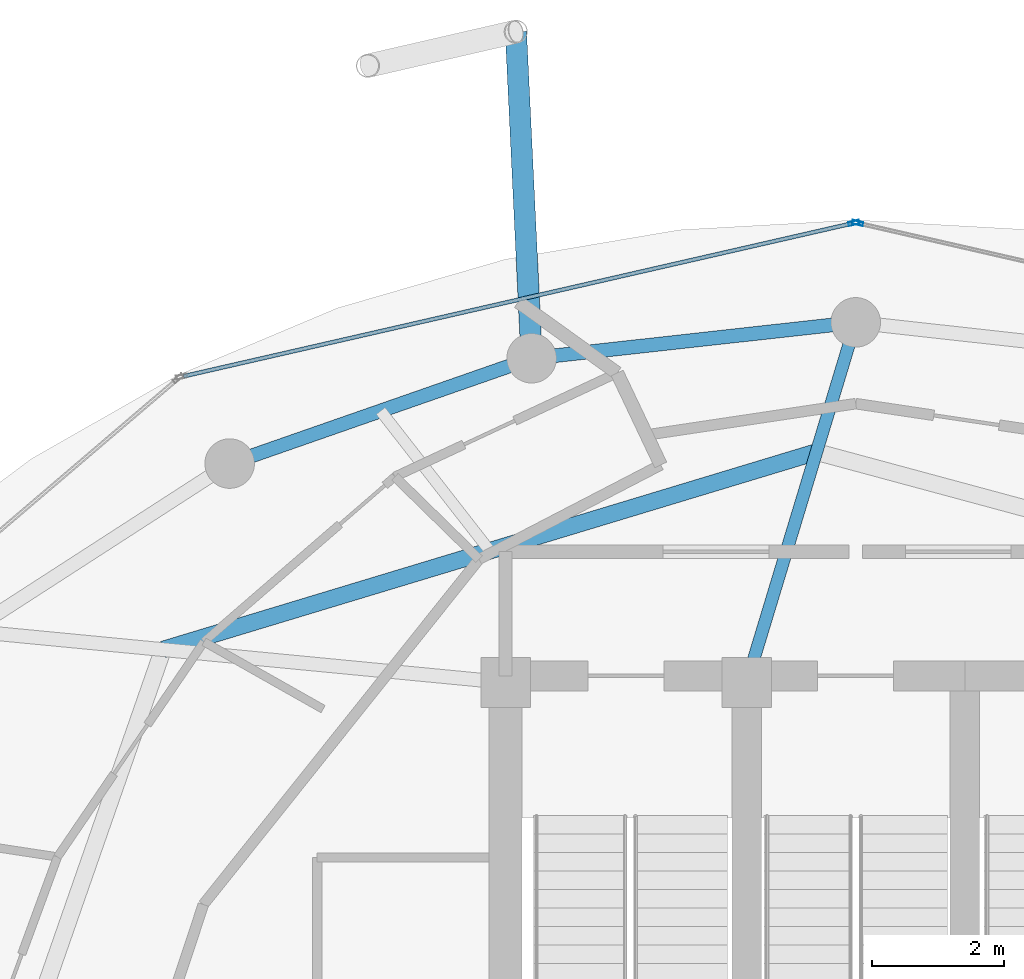
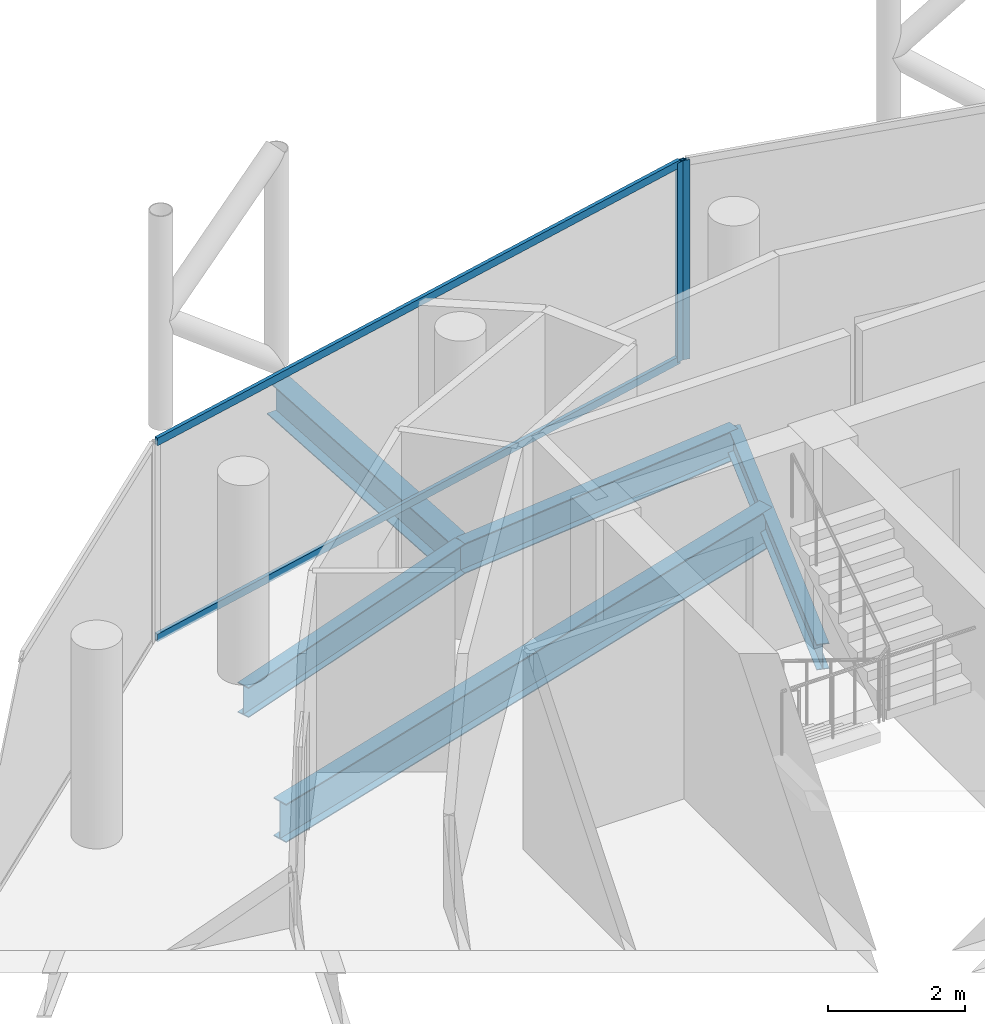
# One storey, part 16 of 24: 5 beams, 4 members, 2 elements without a shape of their own.
"""IFC4 building model written with IfcOpenShell, lengths in metres."""

from ifc_helpers import new_model, si_unit, direction, frame, origin, origin_2d, place, context, subcontext, project, spatial, hollow_rectangle, i_section, extrude, material, layer, layer_set, material_profile, profile_set, type_object, element, aggregate, save


model = new_model("IFC4")

# Units and contexts
model_context = context("Model", 3, precision=1e-05, world=origin(), true_north=direction((0.0, 1.0)))
body_context = subcontext(model_context, "Body", "Model", "MODEL_VIEW")
ifc_project = project(units=[si_unit("LENGTHUNIT", "METRE"), si_unit("AREAUNIT", "SQUARE_METRE"), si_unit("VOLUMEUNIT", "CUBIC_METRE"), si_unit("PLANEANGLEUNIT", "RADIAN"), si_unit("MASSUNIT", "GRAM", prefix="KILO")], contexts=[model_context])

# Site, building, storey
site_placement = place(None, origin())
site = spatial("IfcSite", under=ifc_project, at=site_placement, CompositionType="ELEMENT")
building_placement = place(site_placement, origin())
building = spatial("IfcBuilding", under=site, at=building_placement, Name="Nuhasar Tower", CompositionType="ELEMENT")
storey_placement = place(building_placement, frame((0.0, 0.0, 278.39990234375)))
storey = spatial("IfcBuildingStorey", under=building, at=storey_placement, Name="L69", CompositionType="ELEMENT", Elevation=278.39990234375)

# Beams
ifc_material_1 = material(Name="Steel S355", Category="steel")
ifc_material_profile_1 = material_profile(ifc_material_1, i_section(OverallWidth=0.25390625, OverallDepth=0.68408203125, WebThickness=0.012451171875, FlangeThickness=0.018798828125, at=origin_2d()), Name="W27X94")
ifc_profile_set_1 = profile_set([ifc_material_profile_1], Name="Steel S355")
beam_type_1 = type_object("IfcBeamType", Name="BM-INRING-W27X94", PredefinedType="BEAM", material=ifc_profile_set_1)
beam_1_placement = place(storey_placement, frame((38.406005859375, 40.7880859375, -0.601806640625), z_axis=(-0.957210818407, -0.289391515294, 0.0), x_axis=(0.289391515294, -0.957210818407, 0.0)))
element("IfcBeam", 1, at=beam_1_placement, inside=storey, type_object=beam_type_1, Name="L69 Inner Header Beam 06", PredefinedType="BEAM", context=body_context, shape_type="SweptSolid", body=[
    extrude(i_section(OverallWidth=0.25390625, OverallDepth=0.68408203125, WebThickness=0.012451171875, FlangeThickness=0.018798828125, at=origin_2d()), origin(), (0.0, 0.0, 1.0), 10.33203125),
])
ifc_material_profile_2 = material_profile(ifc_material_1, i_section(OverallWidth=0.18994140625, OverallDepth=0.45703125, WebThickness=0.009033203125, FlangeThickness=0.014404296875, at=origin_2d()), Name="W18X50")
ifc_profile_set_2 = profile_set([ifc_material_profile_2], Name="Steel S355")
beam_type_2 = type_object("IfcBeamType", Name="BM-RAD-W18X50", PredefinedType="BEAM", material=ifc_profile_set_2)
beam_2_placement = place(storey_placement, frame((37.35009765625, 37.300048828125, -0.489013671875), z_axis=(0.289750350206, 0.957102259195, 0.0), x_axis=(-0.957102259195, 0.289750350206, 0.0)))
element("IfcBeam", 2, at=beam_2_placement, inside=storey, type_object=beam_type_2, Name="L69 Radial Floor Girder 06", PredefinedType="BEAM", context=body_context, shape_type="SweptSolid", body=[
    extrude(i_section(OverallWidth=0.18994140625, OverallDepth=0.45703125, WebThickness=0.009033203125, FlangeThickness=0.014404296875, at=origin_2d()), origin(), (0.0, 0.0, 1.0), 5.6943359375),
])
ifc_material_profile_3 = material_profile(ifc_material_1, i_section(OverallWidth=0.2099609375, OverallDepth=0.537109375, WebThickness=0.010986328125, FlangeThickness=0.017333984375, at=origin_2d()), Name="W21X68")
ifc_profile_set_3 = profile_set([ifc_material_profile_3], Name="Steel S355")
beam_type_3 = type_object("IfcBeamType", Name="BM-RING-W21X68", PredefinedType="SPANDREL", material=ifc_profile_set_3)
beam_3_placement = place(storey_placement, frame((39.0, 42.75, -0.52880859375), z_axis=(-0.99392889943, -0.110024283128, 0.0), x_axis=(0.110024283128, -0.99392889943, 0.0)))
element("IfcBeam", 3, at=beam_3_placement, inside=storey, type_object=beam_type_3, Name="L69 Perimeter Ring Spandrel 07", PredefinedType="SPANDREL", context=body_context, shape_type="SweptSolid", body=[
    extrude(i_section(OverallWidth=0.2099609375, OverallDepth=0.537109375, WebThickness=0.010986328125, FlangeThickness=0.017333984375, at=origin_2d()), origin(), (0.0, 0.0, 1.0), 4.93505859375),
])
beam_4_placement = place(storey_placement, frame((34.094970703125, 42.20703125, -0.52880859375), z_axis=(-0.944214043504, -0.329332415729, 0.0), x_axis=(0.329332415729, -0.944214043504, 0.0)))
element("IfcBeam", 4, at=beam_4_placement, inside=storey, type_object=beam_type_3, Name="L69 Perimeter Ring Spandrel 08", PredefinedType="SPANDREL", context=body_context, shape_type="SweptSolid", body=[
    extrude(i_section(OverallWidth=0.2099609375, OverallDepth=0.537109375, WebThickness=0.010986328125, FlangeThickness=0.017333984375, at=origin_2d()), origin(), (0.0, 0.0, 1.0), 4.840087890625),
])
ifc_material_profile_4 = material_profile(ifc_material_1, i_section(OverallWidth=0.323974609375, OverallDepth=0.611083984375, WebThickness=0.0126953125, FlangeThickness=0.01904296875, at=origin_2d()), Name="W24X104")
ifc_profile_set_4 = profile_set([ifc_material_profile_4], Name="Steel S355")
beam_type_4 = type_object("IfcBeamType", Name="BM-TIE-W24X104", PredefinedType="BEAM", material=ifc_profile_set_4)
beam_5_placement = place(storey_placement, frame((34.094970703125, 42.20703125, -0.56591796875), z_axis=(-0.048111398417, 0.998841976162, 0.0), x_axis=(-0.998841976162, -0.048111398417, 0.0)))
element("IfcBeam", 5, at=beam_5_placement, inside=storey, type_object=beam_type_4, Name="L69 Exoskeleton Node Tie Beam 04", PredefinedType="BEAM", context=body_context, shape_type="SweptSolid", body=[
    extrude(i_section(OverallWidth=0.323974609375, OverallDepth=0.611083984375, WebThickness=0.0126953125, FlangeThickness=0.01904296875, at=origin_2d()), origin(), (0.0, 0.0, 1.0), 4.947509765625),
])

# Curtain wall, member
ifc_material_2 = material(Name="Aluminium 6063-T6", Category="aluminium")
ifc_layer = layer(ifc_material_2, 0.18994140625)
ifc_layer_set = layer_set([ifc_layer], Name="Aluminium 6063-T6")
curtain_wall_type = type_object("IfcCurtainWallType", Name="CW-Z4-PEN", PredefinedType="NOTDEFINED", material=ifc_layer_set)
curtain_wall_1_placement = place(storey_placement, origin())
curtain_wall_1 = element("IfcCurtainWall", 6, at=curtain_wall_1_placement, inside=storey, type_object=curtain_wall_type, Name="L69 Unitised Curtain Wall 03", PredefinedType="NOTDEFINED")
ifc_material_profile_5 = material_profile(ifc_material_2, hollow_rectangle(XDim=0.06005859375, YDim=0.1650390625, WallThickness=0.0048828125, at=origin_2d()), Name="CWM-5")
ifc_profile_set_5 = profile_set([ifc_material_profile_5], Name="Aluminium 6063-T6")
member_type_1 = type_object("IfcMemberType", Name="CW-MUL-S5", PredefinedType="MULLION", material=ifc_profile_set_5)
member_1_placement = place(storey_placement, frame((39.029296875, 44.25341796875, 0.0), z_axis=(0.0, 0.0, 1.0), x_axis=(-0.222889487645, -0.97484371891, 0.0)))
member_1 = element("IfcMember", 7, at=member_1_placement, type_object=member_type_1, Name="CW-Z4 mullion 2", PredefinedType="MULLION", context=body_context, shape_type="SweptSolid", body=[
    extrude(hollow_rectangle(XDim=0.06005859375, YDim=0.1650390625, WallThickness=0.0048828125, at=origin_2d()), origin(), (0.0, 0.0, 1.0), 3.5400390625),
])
aggregate(curtain_wall_1, [member_1])

# Curtain wall, members
curtain_wall_2_placement = place(storey_placement, origin())
curtain_wall_2 = element("IfcCurtainWall", 8, at=curtain_wall_2_placement, inside=storey, type_object=curtain_wall_type, Name="L69 Unitised Curtain Wall 04", PredefinedType="NOTDEFINED")
member_2_placement = place(storey_placement, frame((38.970703125, 44.25341796875, 0.0), z_axis=(0.0, 0.0, 1.0), x_axis=(0.222889487645, -0.97484371891, 0.0)))
member_2 = element("IfcMember", 9, at=member_2_placement, type_object=member_type_1, Name="CW-Z4 mullion 1", PredefinedType="MULLION", context=body_context, shape_type="SweptSolid", body=[
    extrude(hollow_rectangle(XDim=0.06005859375, YDim=0.1650390625, WallThickness=0.0048828125, at=origin_2d()), origin(), (0.0, 0.0, 1.0), 3.5400390625),
])
ifc_material_profile_6 = material_profile(ifc_material_2, hollow_rectangle(XDim=0.06005859375, YDim=0.135009765625, WallThickness=0.00439453125, at=origin_2d()), Name="CWT-5")
ifc_profile_set_6 = profile_set([ifc_material_profile_6], Name="Aluminium 6063-T6")
member_type_2 = type_object("IfcMemberType", Name="CW-TRN-S5", PredefinedType="USERDEFINED", material=ifc_profile_set_6)
member_3_placement = place(storey_placement, frame((38.94140625, 44.24658203125, 0.030029296875), z_axis=(-0.974843752401, -0.222889341163, 0.0), x_axis=(0.222889341163, -0.974843752401, 0.0)))
member_3 = element("IfcMember", 10, at=member_3_placement, type_object=member_type_2, Name="CW-Z4 transom 1.1", ObjectType="TRANSOM", PredefinedType="USERDEFINED", context=body_context, shape_type="SweptSolid", body=[
    extrude(hollow_rectangle(XDim=0.06005859375, YDim=0.135009765625, WallThickness=0.00439453125, at=origin_2d()), origin(), (0.0, 0.0, 1.0), 10.3740234375),
])
member_4_placement = place(storey_placement, frame((38.94140625, 44.24658203125, 3.510009765625), z_axis=(-0.974843752401, -0.222889341163, 0.0), x_axis=(0.222889341163, -0.974843752401, 0.0)))
member_4 = element("IfcMember", 11, at=member_4_placement, type_object=member_type_2, Name="CW-Z4 transom 1.2", ObjectType="TRANSOM", PredefinedType="USERDEFINED", context=body_context, shape_type="SweptSolid", body=[
    extrude(hollow_rectangle(XDim=0.06005859375, YDim=0.135009765625, WallThickness=0.00439453125, at=origin_2d()), origin(), (0.0, 0.0, 1.0), 10.3740234375),
])
aggregate(curtain_wall_2, [member_2, member_3, member_4])

save(model, "model.ifc")
